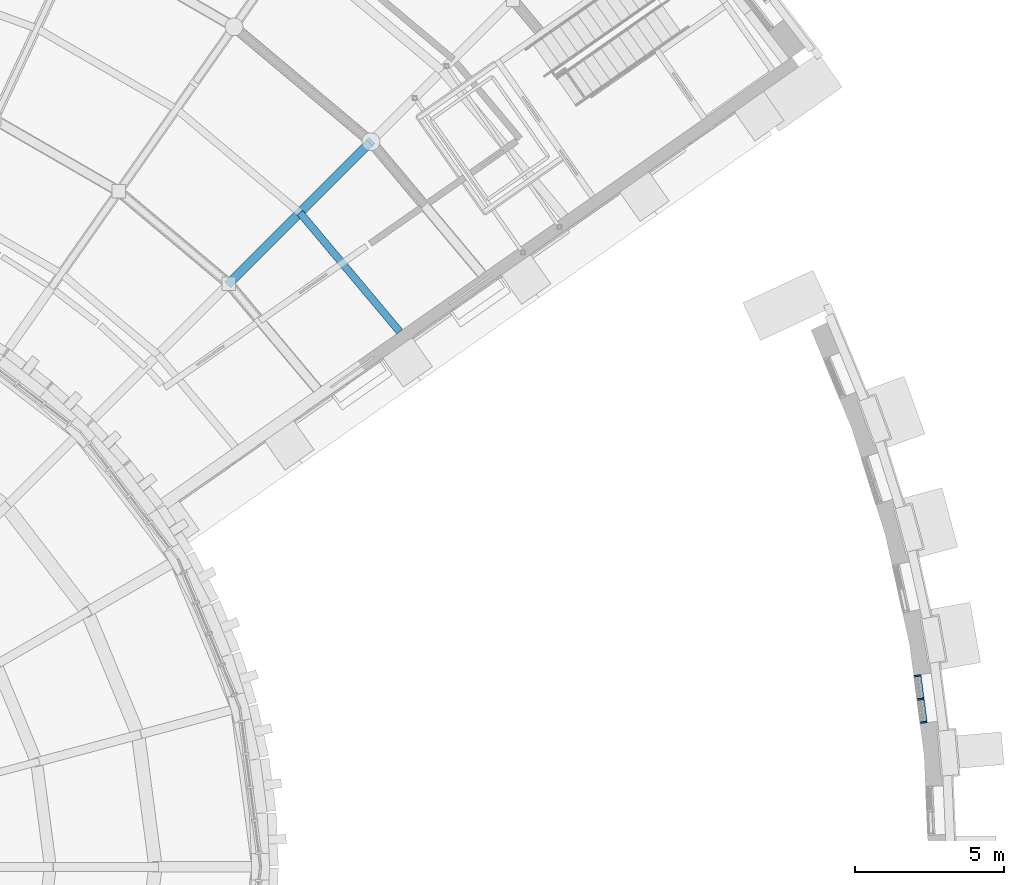
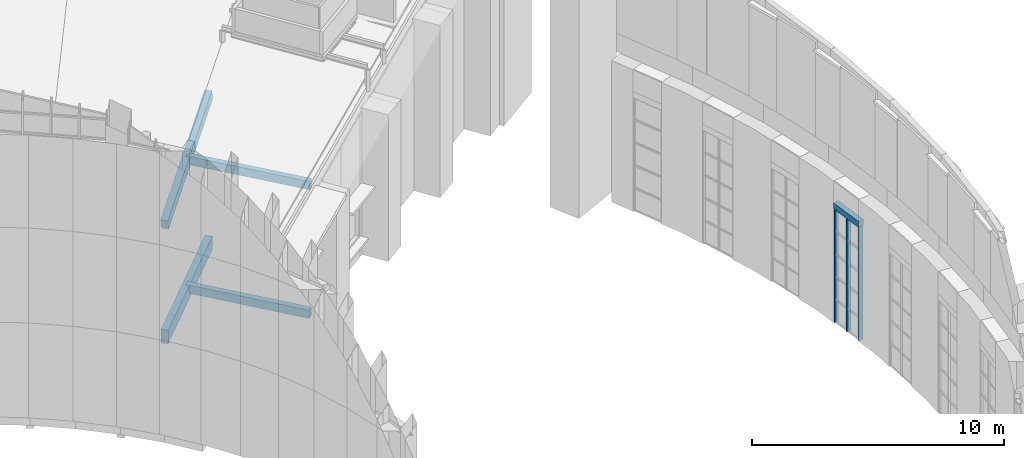
# One storey, part 20 of 82: 5 beams, 3 members, 1 element without a shape of its own.
"""IFC4 building model written with IfcOpenShell, lengths in metres."""

from ifc_helpers import new_model, si_unit, direction, frame, origin, origin_2d, place, context, subcontext, project, spatial, rectangle, extrude, material, layer, layer_set, material_profile, profile_set, type_object, element, aggregate, save


model = new_model("IFC4")

# Units and contexts
model_context = context("Model", 3, precision=1e-05, world=origin(), true_north=direction((0.0, 1.0)))
body_context = subcontext(model_context, "Body", "Model", "MODEL_VIEW")
ifc_project = project(units=[si_unit("LENGTHUNIT", "METRE"), si_unit("AREAUNIT", "SQUARE_METRE"), si_unit("VOLUMEUNIT", "CUBIC_METRE"), si_unit("PLANEANGLEUNIT", "RADIAN"), si_unit("MASSUNIT", "GRAM", prefix="KILO")], contexts=[model_context])

# Site, building, storey
site_placement = place(None, origin())
site = spatial("IfcSite", under=ifc_project, at=site_placement, CompositionType="ELEMENT")
building_placement = place(site_placement, origin())
building = spatial("IfcBuilding", under=site, at=building_placement, Name="Volute Hill Aquarium", CompositionType="ELEMENT")
storey_placement = place(building_placement, frame((0.0, 0.0, 13.800048828125)))
storey = spatial("IfcBuildingStorey", under=building, at=storey_placement, Name="L04", CompositionType="ELEMENT", Elevation=13.800048828125)

# Beam
ifc_material_1 = material(Name="Concrete C35/45", Category="concrete")
ifc_material_profile_1 = material_profile(ifc_material_1, rectangle(XDim=0.300048828125, YDim=0.64990234375, at=origin_2d()), Name="RC beam 300x650")
ifc_profile_set_1 = profile_set([ifc_material_profile_1], Name="Concrete C35/45")
beam_type_1 = type_object("IfcBeamType", Name="Beam 300x650 C35/45", PredefinedType="BEAM", material=ifc_profile_set_1)
beam_1_placement = place(storey_placement, frame((19.631103515625, 19.631103515625, -0.614990234375), z_axis=(0.707106781187, 0.707106781187, 0.0), x_axis=(-0.707106781187, 0.707106781187, 0.0)))
element("IfcBeam", 1, at=beam_1_placement, inside=storey, type_object=beam_type_1, Name="bm/S5/L04/rad1.2", PredefinedType="BEAM", context=body_context, shape_type="SweptSolid", body=[
    extrude(rectangle(XDim=0.300048828125, YDim=0.64990234375, at=origin_2d()), origin(), (0.0, 0.0, 1.0), 6.762451171875),
])

# Curtain wall, members
ifc_material_2 = material(Name="Aluminium", Category="aluminium")
ifc_layer = layer(ifc_material_2, 0.25)
ifc_layer_set = layer_set([ifc_layer], Name="Curtain wall niche S4 module 819")
curtain_wall_type = type_object("IfcCurtainWallType", Name="Curtain wall niche S4 module 819", PredefinedType="NOTDEFINED", material=ifc_layer_set)
curtain_wall_placement = place(storey_placement, origin())
curtain_wall = element("IfcCurtainWall", 2, at=curtain_wall_placement, inside=storey, type_object=curtain_wall_type, Name="Curtain wall CW S4 L04 7", PredefinedType="NOTDEFINED")
ifc_material_3 = material(Name="Aluminium", Category="aluminium")
ifc_material_profile_2 = material_profile(ifc_material_3, rectangle(XDim=0.199951171875, YDim=0.06005859375, at=origin_2d()), Name="Curtain wall mullion S4 60x200")
ifc_profile_set_2 = profile_set([ifc_material_profile_2], Name="Aluminium")
member_type = type_object("IfcMemberType", Name="Curtain wall mullion S4 60x200", PredefinedType="MULLION", material=ifc_profile_set_2)
member_1_placement = place(storey_placement, frame((43.01611328125, 4.86767578125, 0.0), z_axis=(0.0, 0.0, 1.0), x_axis=(-0.991446228392, -0.130515808269, 0.0)))
member_1 = element("IfcMember", 3, at=member_1_placement, type_object=member_type, Name="CW mullion 1", PredefinedType="MULLION", context=body_context, shape_type="SweptSolid", body=[
    extrude(rectangle(XDim=0.199951171875, YDim=0.06005859375, at=origin_2d()), origin(), (0.0, 0.0, 1.0), 5.51025390625),
])
member_2_placement = place(storey_placement, frame((42.9130859375, 5.649658203125, 0.0), z_axis=(0.0, 0.0, 1.0), x_axis=(-0.991446228392, -0.130515808269, 0.0)))
member_2 = element("IfcMember", 4, at=member_2_placement, type_object=member_type, Name="CW mullion 2", PredefinedType="MULLION", context=body_context, shape_type="SweptSolid", body=[
    extrude(rectangle(XDim=0.199951171875, YDim=0.06005859375, at=origin_2d()), origin(), (0.0, 0.0, 1.0), 5.51025390625),
])
member_3_placement = place(storey_placement, frame((42.810302734375, 6.431640625, 0.0), z_axis=(0.0, 0.0, 1.0), x_axis=(-0.991446228392, -0.130515808269, 0.0)))
member_3 = element("IfcMember", 5, at=member_3_placement, type_object=member_type, Name="CW mullion 3", PredefinedType="MULLION", context=body_context, shape_type="SweptSolid", body=[
    extrude(rectangle(XDim=0.199951171875, YDim=0.06005859375, at=origin_2d()), origin(), (0.0, 0.0, 1.0), 5.51025390625),
])
aggregate(curtain_wall, [member_1, member_2, member_3])

# Beams
ifc_material_4 = material(Name="Concrete C35/45", Category="concrete")
ifc_material_profile_3 = material_profile(ifc_material_4, rectangle(XDim=0.25, YDim=0.39990234375, at=origin_2d()), Name="RC joist 250x400")
ifc_profile_set_3 = profile_set([ifc_material_profile_3], Name="Concrete C35/45")
beam_type_2 = type_object("IfcBeamType", Name="Joist 250x400 C35/45", PredefinedType="BEAM", material=ifc_profile_set_3)
for number, where, z_axis, x_axis, name in (
    (6, (25.38232421875, 18.01708984375, -0.489990234375), (-0.642771431377, 0.766058018041, 0.0), (-0.766058018041, -0.642771431377, 0.0), "bm/S5/L04/jst6"),
    (7, (25.38232421875, 18.01708984375, 5.74951171875), (-0.642771431377, 0.766058018041, 0.0), (-0.766058018041, -0.642771431377, 0.0), "rb/S5/L04/jst6"),
):
    element("IfcBeam", number, at=place(storey_placement, frame(where, z_axis=z_axis, x_axis=x_axis)), inside=storey, type_object=beam_type_2, Name=name, PredefinedType="BEAM", context=body_context, shape_type="SweptSolid", body=[
        extrude(rectangle(XDim=0.25, YDim=0.39990234375, at=origin_2d()), origin(), (0.0, 0.0, 1.0), 5.22802734375),
    ])
ifc_material_5 = material(Name="Concrete C35/45", Category="concrete")
ifc_material_profile_4 = material_profile(ifc_material_5, rectangle(XDim=0.25, YDim=0.300048828125, at=origin_2d()), Name="RC beam 250x300")
ifc_profile_set_4 = profile_set([ifc_material_profile_4], Name="Concrete C35/45")
beam_type_3 = type_object("IfcBeamType", Name="Niche head beam RC 250x300 C35/45", PredefinedType="BEAM", material=ifc_profile_set_4)
beam_2_placement = place(storey_placement, frame((43.02001953125, 4.837890625, 5.660400390625), z_axis=(-0.130473798764, 0.991451757695, 0.0), x_axis=(-0.991451757695, -0.130473798764, 0.0)))
element("IfcBeam", 8, at=beam_2_placement, inside=storey, type_object=beam_type_3, Name="Niche head beam OWB S4 L04 7", PredefinedType="BEAM", context=body_context, shape_type="SweptSolid", body=[
    extrude(rectangle(XDim=0.25, YDim=0.300048828125, at=origin_2d()), origin(), (0.0, 0.0, 1.0), 1.63720703125),
])
ifc_material_6 = material(Name="Concrete C35/45", Category="concrete")
ifc_material_profile_5 = material_profile(ifc_material_6, rectangle(XDim=0.300048828125, YDim=0.5, at=origin_2d()), Name="RC rib 300x500")
ifc_profile_set_5 = profile_set([ifc_material_profile_5], Name="Concrete C35/45")
beam_type_4 = type_object("IfcBeamType", Name="Roof rib 300x500 C35/45", PredefinedType="BEAM", material=ifc_profile_set_5)
beam_3_placement = place(storey_placement, frame((19.631103515625, 19.631103515625, 4.822265625), z_axis=(0.684843095718, 0.684843095718, 0.248957563643), x_axis=(-0.707106781187, 0.707106781187, 0.0)))
element("IfcBeam", 9, at=beam_3_placement, inside=storey, type_object=beam_type_4, Name="rb/S5/L04/rib1.2", PredefinedType="BEAM", context=body_context, shape_type="SweptSolid", body=[
    extrude(rectangle(XDim=0.300048828125, YDim=0.5, at=origin_2d()), origin(), (0.0, 0.0, 1.0), 6.982177734375),
])

save(model, "model.ifc")
